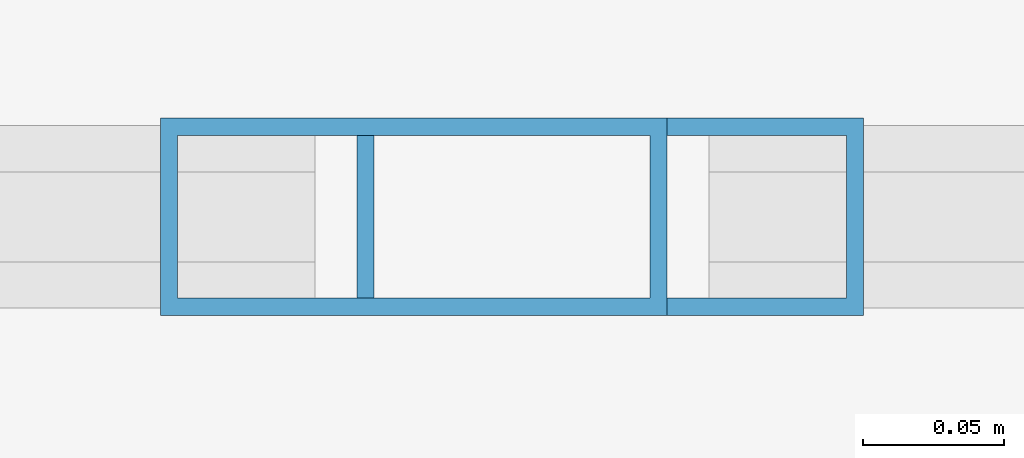
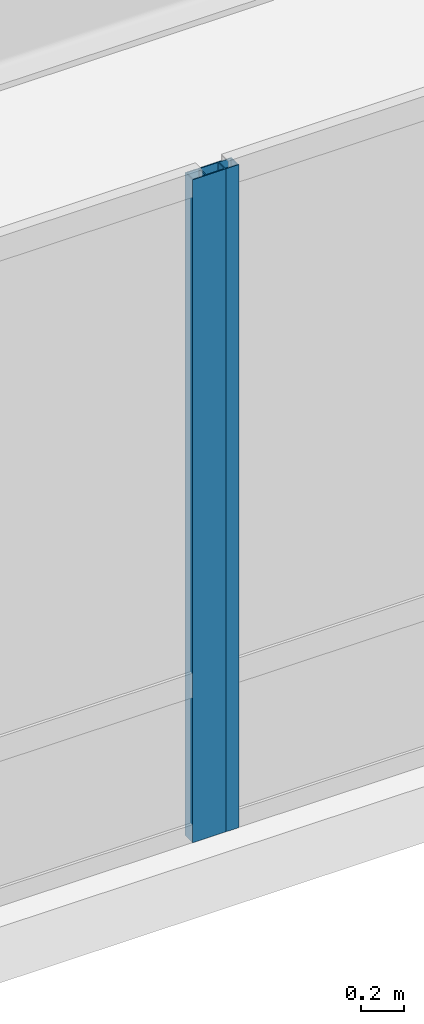
# One storey, part 4 of 17: 2 members, 2 elements without a shape of their own.
"""IFC4 building model written with IfcOpenShell, lengths in metres."""

from ifc_helpers import new_model, si_unit, direction, frame, origin, origin_2d, place, context, subcontext, project, spatial, hollow_rectangle, extrude, material, layer, layer_set, material_profile, profile_set, type_object, element, aggregate, save


model = new_model("IFC4")

# Units and contexts
model_context = context("Model", 3, precision=1e-05, world=origin(), true_north=direction((0.0, 1.0)))
body_context = subcontext(model_context, "Body", "Model", "MODEL_VIEW")
ifc_project = project(units=[si_unit("LENGTHUNIT", "METRE"), si_unit("AREAUNIT", "SQUARE_METRE"), si_unit("VOLUMEUNIT", "CUBIC_METRE"), si_unit("PLANEANGLEUNIT", "RADIAN"), si_unit("MASSUNIT", "GRAM", prefix="KILO"), si_unit("THERMODYNAMICTEMPERATUREUNIT", "KELVIN"), si_unit("POWERUNIT", "WATT")], contexts=[model_context])

# Site, building, storey
site_placement = place(None, origin())
site = spatial("IfcSite", under=ifc_project, at=site_placement, CompositionType="ELEMENT")
building_placement = place(site_placement, origin())
building = spatial("IfcBuilding", under=site, at=building_placement, Name="Ocrelia Relay Tower", CompositionType="ELEMENT")
storey_placement = place(building_placement, frame((0.0, 0.0, 25.199951171875)))
storey = spatial("IfcBuildingStorey", under=building, at=storey_placement, Name="L05", CompositionType="ELEMENT", Elevation=25.199951171875)

# Curtain wall, member
ifc_material_1 = material(Name="Aluminium and solar-control low-E glass", Category="aluminium")
ifc_layer = layer(ifc_material_1, 0.179931640625, Name="Aluminium and solar-control low-E glass")
ifc_layer_set = layer_set([ifc_layer], Name="Aluminium and solar-control low-E glass")
curtain_wall_type = type_object("IfcCurtainWallType", Name="CW-SYS-POD-GALL", PredefinedType="NOTDEFINED", material=ifc_layer_set)
curtain_wall_1_placement = place(storey_placement, origin())
curtain_wall_1 = element("IfcCurtainWall", 1, at=curtain_wall_1_placement, inside=storey, type_object=curtain_wall_type, Name="L05 South Over-Arch Curtain Wall West", PredefinedType="NOTDEFINED")
ifc_material_2 = material(Name="Anodised bronze aluminium", Category="aluminium")
ifc_material_profile = material_profile(ifc_material_2, hollow_rectangle(XDim=0.070068359375, YDim=0.179931640625, WallThickness=0.006103515625, at=origin_2d()), Name="CW-MUL-180x70")
ifc_profile_set = profile_set([ifc_material_profile], Name="Anodised bronze aluminium")
member_type = type_object("IfcMemberType", Name="CW-SYS-POD-GALL-MUL", PredefinedType="MULLION", material=ifc_profile_set)
member_1_placement = place(storey_placement, frame((33.965087890625, 0.179931640625, 0.0), z_axis=(0.0, 0.0, 1.0), x_axis=(0.0, 1.0, 0.0)))
member_1 = element("IfcMember", 2, at=member_1_placement, type_object=member_type, Name="CW-PG mullion 4", PredefinedType="MULLION", context=body_context, shape_type="SweptSolid", body=[
    extrude(hollow_rectangle(XDim=0.070068359375, YDim=0.179931640625, WallThickness=0.006103515625, at=origin_2d()), origin(), (0.0, 0.0, 1.0), 3.800048828125),
])
aggregate(curtain_wall_1, [member_1])

curtain_wall_2_placement = place(storey_placement, origin())
curtain_wall_2 = element("IfcCurtainWall", 3, at=curtain_wall_2_placement, inside=storey, type_object=curtain_wall_type, Name="L05 South Over-Arch Curtain Wall East", PredefinedType="NOTDEFINED")
member_2_placement = place(storey_placement, frame((34.034912109375, 0.179931640625, 0.0), z_axis=(0.0, 0.0, 1.0), x_axis=(0.0, 1.0, 0.0)))
member_2 = element("IfcMember", 4, at=member_2_placement, type_object=member_type, Name="CW-PG mullion 1", PredefinedType="MULLION", context=body_context, shape_type="SweptSolid", body=[
    extrude(hollow_rectangle(XDim=0.070068359375, YDim=0.179931640625, WallThickness=0.006103515625, at=origin_2d()), origin(), (0.0, 0.0, 1.0), 3.800048828125),
])
aggregate(curtain_wall_2, [member_2])

save(model, "model.ifc")
